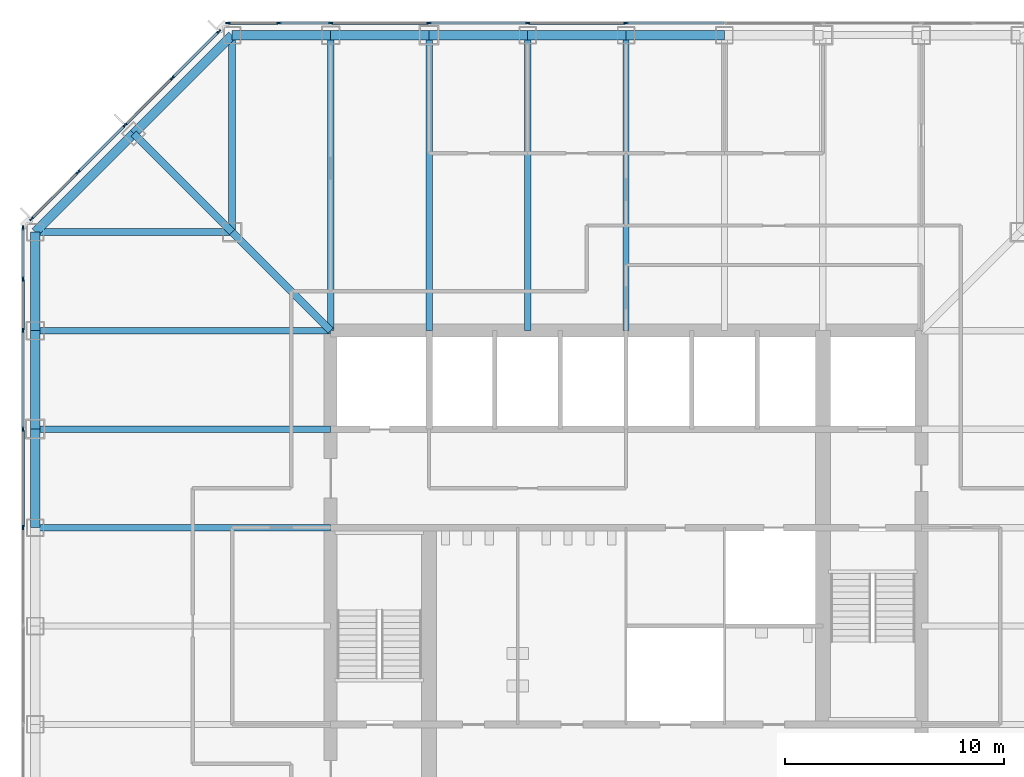
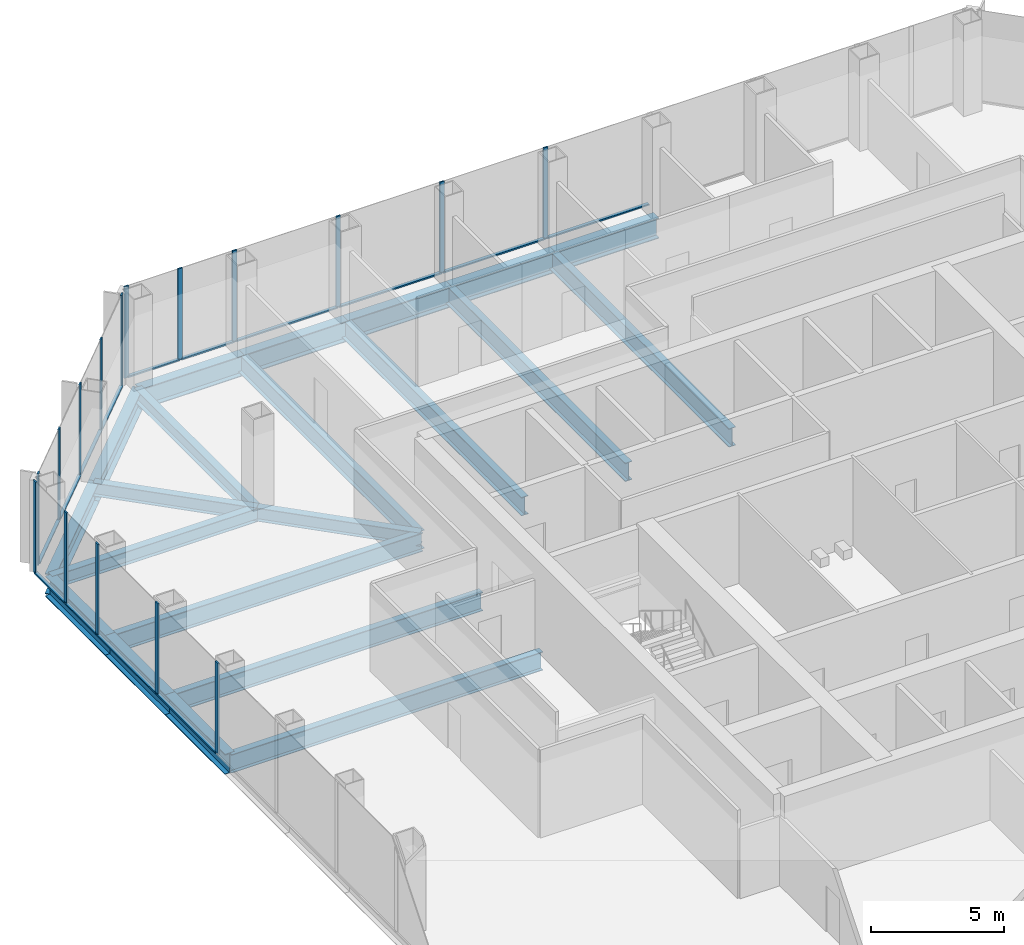
# One storey, part 5 of 13: 30 members, 21 beams, 3 elements without a shape of their own.
"""IFC4 building model written with IfcOpenShell, lengths in metres."""

from ifc_helpers import new_model, si_unit, direction, frame, origin, origin_2d, place, context, subcontext, project, spatial, rectangle, i_section, extrude, material, material_profile, profile_set, type_object, element, aggregate, save


model = new_model("IFC4")

# Units and contexts
model_context = context("Model", 3, precision=1e-05, world=origin(), true_north=direction((0.0, 1.0)))
body_context = subcontext(model_context, "Body", "Model", "MODEL_VIEW")
ifc_project = project(units=[si_unit("LENGTHUNIT", "METRE"), si_unit("AREAUNIT", "SQUARE_METRE"), si_unit("VOLUMEUNIT", "CUBIC_METRE"), si_unit("PLANEANGLEUNIT", "RADIAN"), si_unit("MASSUNIT", "GRAM", prefix="KILO")], contexts=[model_context])

# Site, building, storey
site_placement = place(None, origin())
site = spatial("IfcSite", under=ifc_project, at=site_placement, CompositionType="ELEMENT")
building_placement = place(site_placement, origin())
building = spatial("IfcBuilding", under=site, at=building_placement, Name="Corais Broadcast Tower", CompositionType="ELEMENT")
storey_placement = place(building_placement, frame((0.0, 0.0, 83.60009765625)))
storey = spatial("IfcBuildingStorey", under=building, at=storey_placement, Name="L18", CompositionType="ELEMENT", Elevation=83.60009765625)

# Beams
ifc_material_1 = material(Name="Steel ASTM A572 Grade 50", Category="steel")
ifc_material_profile_1 = material_profile(ifc_material_1, i_section(OverallWidth=0.323974609375, OverallDepth=0.611083984375, WebThickness=0.0126953125, FlangeThickness=0.01904296875, at=origin_2d()), Name="W610x155")
ifc_profile_set_1 = profile_set([ifc_material_profile_1], Name="Steel ASTM A572 Grade 50")
beam_type_1 = type_object("IfcBeamType", Name="Chamfer tie W610x155", PredefinedType="BEAM", material=ifc_profile_set_1)
beam_1_placement = place(storey_placement, frame((4.5, 49.5, -0.465576171875), z_axis=(0.707106781187, -0.707106781187, 0.0), x_axis=(0.707106781187, 0.707106781187, 0.0)))
element("IfcBeam", 1, at=beam_1_placement, inside=storey, type_object=beam_type_1, Name="B5 M/4 to L/5", PredefinedType="BEAM", context=body_context, shape_type="SweptSolid", body=[
    extrude(i_section(OverallWidth=0.323974609375, OverallDepth=0.611083984375, WebThickness=0.0126953125, FlangeThickness=0.01904296875, at=origin_2d()), origin(), (0.0, 0.0, 1.0), 6.364013671875),
])
ifc_material_2 = material(Name="Steel ASTM A572 Grade 50", Category="steel")
ifc_material_profile_2 = material_profile(ifc_material_2, i_section(OverallWidth=0.323974609375, OverallDepth=0.611083984375, WebThickness=0.0126953125, FlangeThickness=0.01904296875, at=origin_2d()), Name="W610x155")
ifc_profile_set_2 = profile_set([ifc_material_profile_2], Name="Steel ASTM A572 Grade 50")
beam_type_2 = type_object("IfcBeamType", Name="Corner diagonal W610x155", PredefinedType="BEAM", material=ifc_profile_set_2)
beam_2_placement = place(storey_placement, frame((9.0, 45.0, -0.465576171875), z_axis=(0.707106781187, -0.707106781187, 0.0), x_axis=(0.707106781187, 0.707106781187, 0.0)))
element("IfcBeam", 2, at=beam_2_placement, inside=storey, type_object=beam_type_2, Name="B6 L/5 to K/6", PredefinedType="BEAM", context=body_context, shape_type="SweptSolid", body=[
    extrude(i_section(OverallWidth=0.323974609375, OverallDepth=0.611083984375, WebThickness=0.0126953125, FlangeThickness=0.01904296875, at=origin_2d()), origin(), (0.0, 0.0, 1.0), 6.364013671875),
])
ifc_material_3 = material(Name="Steel ASTM A572 Grade 50", Category="steel")
ifc_material_profile_3 = material_profile(ifc_material_3, i_section(OverallWidth=0.323974609375, OverallDepth=0.611083984375, WebThickness=0.0126953125, FlangeThickness=0.01904296875, at=origin_2d()), Name="W610x155")
ifc_profile_set_3 = profile_set([ifc_material_profile_3], Name="Steel ASTM A572 Grade 50")
beam_type_3 = type_object("IfcBeamType", Name="Corner girder W610x155", PredefinedType="BEAM", material=ifc_profile_set_3)
for number, where, z_axis, x_axis, name in (
    (3, (0.0, 45.0, -0.465576171875), (1.0, 0.0, 0.0), (0.0, 1.0, 0.0), "B4 L/3 to L/5"),
    (4, (9.0, 54.0, -0.465576171875), (0.0, -1.0, 0.0), (1.0, 0.0, 0.0), "B4 N/5 to L/5"),
):
    element("IfcBeam", number, at=place(storey_placement, frame(where, z_axis=z_axis, x_axis=x_axis)), inside=storey, type_object=beam_type_3, Name=name, PredefinedType="BEAM", context=body_context, shape_type="SweptSolid", body=[
        extrude(i_section(OverallWidth=0.323974609375, OverallDepth=0.611083984375, WebThickness=0.0126953125, FlangeThickness=0.01904296875, at=origin_2d()), origin(), (0.0, 0.0, 1.0), 9.0),
    ])
ifc_material_4 = material(Name="Steel ASTM A572 Grade 50", Category="steel")
ifc_material_profile_4 = material_profile(ifc_material_4, i_section(OverallWidth=0.2939453125, OverallDepth=0.85107421875, WebThickness=0.01611328125, FlangeThickness=0.02685546875, at=origin_2d()), Name="W840x226")
ifc_profile_set_4 = profile_set([ifc_material_profile_4], Name="Steel ASTM A572 Grade 50")
beam_type_4 = type_object("IfcBeamType", Name="Floor beam W840x226", PredefinedType="BEAM", material=ifc_profile_set_4)
for number, where, z_axis, x_axis, name in (
    (5, (0.0, 31.5, -0.585693359375), (1.0, 0.0, 0.0), (0.0, 1.0, 0.0), "B1 H/3 to H/6"),
    (6, (0.0, 36.0, -0.585693359375), (1.0, 0.0, 0.0), (0.0, 1.0, 0.0), "B1 J/3 to J/6"),
    (7, (0.0, 40.5, -0.585693359375), (1.0, 0.0, 0.0), (0.0, 1.0, 0.0), "B1 K/3 to K/6"),
    (8, (13.5, 54.0, -0.585693359375), (0.0, -1.0, 0.0), (1.0, 0.0, 0.0), "B1 N/6 to K/6"),
    (9, (18.0, 54.0, -0.585693359375), (0.0, -1.0, 0.0), (1.0, 0.0, 0.0), "B1 N/7 to K/7"),
    (10, (22.5, 54.0, -0.585693359375), (0.0, -1.0, 0.0), (1.0, 0.0, 0.0), "B1 N/8 to K/8"),
    (11, (27.0, 54.0, -0.585693359375), (0.0, -1.0, 0.0), (1.0, 0.0, 0.0), "B1 N/9 to K/9"),
):
    element("IfcBeam", number, at=place(storey_placement, frame(where, z_axis=z_axis, x_axis=x_axis)), inside=storey, type_object=beam_type_4, Name=name, PredefinedType="BEAM", context=body_context, shape_type="SweptSolid", body=[
        extrude(i_section(OverallWidth=0.2939453125, OverallDepth=0.85107421875, WebThickness=0.01611328125, FlangeThickness=0.02685546875, at=origin_2d()), origin(), (0.0, 0.0, 1.0), 13.5),
    ])

# Curtain wall, members
ifc_material_5 = material(Name="Aluminium and glass", Category="aluminium")
curtain_wall_type = type_object("IfcCurtainWallType", Name="Unitised fritted curtain wall CW1", PredefinedType="NOTDEFINED", material=ifc_material_5)
curtain_wall_1_placement = place(storey_placement, origin())
curtain_wall_1 = element("IfcCurtainWall", 12, at=curtain_wall_1_placement, inside=storey, type_object=curtain_wall_type, Name="CW1 curtain wall L18 2", PredefinedType="NOTDEFINED")
ifc_material_6 = material(Name="Aluminium 6063-T6", Category="aluminium")
ifc_material_profile_5 = material_profile(ifc_material_6, rectangle(XDim=0.06494140625, YDim=0.199951171875, at=origin_2d()), Name="Mullion CW1 65x200")
ifc_profile_set_5 = profile_set([ifc_material_profile_5], Name="Aluminium 6063-T6")
member_type_1 = type_object("IfcMemberType", Name="Mullion CW1 65x200", PredefinedType="MULLION", material=ifc_profile_set_5)
member_1_placement = place(storey_placement, frame((-0.550048828125, 31.5, 0.0), z_axis=(0.0, 0.0, 1.0), x_axis=(-1.0, 0.0, 0.0)))
member_1 = element("IfcMember", 13, at=member_1_placement, type_object=member_type_1, Name="CW1 mullion 7", PredefinedType="MULLION", context=body_context, shape_type="SweptSolid", body=[
    extrude(rectangle(XDim=0.06494140625, YDim=0.199951171875, at=origin_2d()), origin(), (0.0, 0.0, 1.0), 4.199951171875),
])
member_2_placement = place(storey_placement, frame((-0.550048828125, 36.0, 0.0), z_axis=(0.0, 0.0, 1.0), x_axis=(-1.0, 0.0, 0.0)))
member_2 = element("IfcMember", 14, at=member_2_placement, type_object=member_type_1, Name="CW1 mullion 8", PredefinedType="MULLION", context=body_context, shape_type="SweptSolid", body=[
    extrude(rectangle(XDim=0.06494140625, YDim=0.199951171875, at=origin_2d()), origin(), (0.0, 0.0, 1.0), 4.199951171875),
])
member_3_placement = place(storey_placement, frame((-0.550048828125, 40.5, 0.0), z_axis=(0.0, 0.0, 1.0), x_axis=(-1.0, 0.0, 0.0)))
member_3 = element("IfcMember", 15, at=member_3_placement, type_object=member_type_1, Name="CW1 mullion 9", PredefinedType="MULLION", context=body_context, shape_type="SweptSolid", body=[
    extrude(rectangle(XDim=0.06494140625, YDim=0.199951171875, at=origin_2d()), origin(), (0.0, 0.0, 1.0), 4.199951171875),
])
member_4_placement = place(storey_placement, frame((-0.550048828125, 42.864013671875, 0.0), z_axis=(0.0, 0.0, 1.0), x_axis=(-1.0, 0.0, 0.0)))
member_4 = element("IfcMember", 16, at=member_4_placement, type_object=member_type_1, Name="CW1 mullion 10", PredefinedType="MULLION", context=body_context, shape_type="SweptSolid", body=[
    extrude(rectangle(XDim=0.06494140625, YDim=0.199951171875, at=origin_2d()), origin(), (0.0, 0.0, 1.0), 4.199951171875),
])
member_5_placement = place(storey_placement, frame((-0.550048828125, 45.1953125, 0.0), z_axis=(0.0, 0.0, 1.0), x_axis=(-1.0, 0.0, 0.0)))
member_5 = element("IfcMember", 17, at=member_5_placement, type_object=member_type_1, Name="CW1 mullion 11", PredefinedType="MULLION", context=body_context, shape_type="SweptSolid", body=[
    extrude(rectangle(XDim=0.06494140625, YDim=0.199951171875, at=origin_2d()), origin(), (0.0, 0.0, 1.0), 4.199951171875),
])

curtain_wall_2_placement = place(storey_placement, origin())
curtain_wall_2 = element("IfcCurtainWall", 18, at=curtain_wall_2_placement, inside=storey, type_object=curtain_wall_type, Name="CW1 curtain wall L18 3", PredefinedType="NOTDEFINED")
member_6_placement = place(storey_placement, frame((-0.17333984375, 45.6044921875, 0.0), z_axis=(0.0, 0.0, 1.0), x_axis=(-0.707106781187, 0.707106781187, 0.0)))
member_6 = element("IfcMember", 19, at=member_6_placement, type_object=member_type_1, Name="CW1 mullion 1", PredefinedType="MULLION", context=body_context, shape_type="SweptSolid", body=[
    extrude(rectangle(XDim=0.06494140625, YDim=0.199951171875, at=origin_2d()), origin(), (0.0, 0.0, 1.0), 4.199951171875),
])
member_7_placement = place(storey_placement, frame((1.957275390625, 47.735107421875, 0.0), z_axis=(0.0, 0.0, 1.0), x_axis=(-0.707106781187, 0.707106781187, 0.0)))
member_7 = element("IfcMember", 20, at=member_7_placement, type_object=member_type_1, Name="CW1 mullion 2", PredefinedType="MULLION", context=body_context, shape_type="SweptSolid", body=[
    extrude(rectangle(XDim=0.06494140625, YDim=0.199951171875, at=origin_2d()), origin(), (0.0, 0.0, 1.0), 4.199951171875),
])
member_8_placement = place(storey_placement, frame((4.111083984375, 49.888916015625, 0.0), z_axis=(0.0, 0.0, 1.0), x_axis=(-0.707106781187, 0.707106781187, 0.0)))
member_8 = element("IfcMember", 21, at=member_8_placement, type_object=member_type_1, Name="CW1 mullion 3", PredefinedType="MULLION", context=body_context, shape_type="SweptSolid", body=[
    extrude(rectangle(XDim=0.06494140625, YDim=0.199951171875, at=origin_2d()), origin(), (0.0, 0.0, 1.0), 4.199951171875),
])
member_9_placement = place(storey_placement, frame((6.264892578125, 52.042724609375, 0.0), z_axis=(0.0, 0.0, 1.0), x_axis=(-0.707106781187, 0.707106781187, 0.0)))
member_9 = element("IfcMember", 22, at=member_9_placement, type_object=member_type_1, Name="CW1 mullion 4", PredefinedType="MULLION", context=body_context, shape_type="SweptSolid", body=[
    extrude(rectangle(XDim=0.06494140625, YDim=0.199951171875, at=origin_2d()), origin(), (0.0, 0.0, 1.0), 4.199951171875),
])
member_10_placement = place(storey_placement, frame((8.3955078125, 54.17333984375, 0.0), z_axis=(0.0, 0.0, 1.0), x_axis=(-0.707106781187, 0.707106781187, 0.0)))
member_10 = element("IfcMember", 23, at=member_10_placement, type_object=member_type_1, Name="CW1 mullion 5", PredefinedType="MULLION", context=body_context, shape_type="SweptSolid", body=[
    extrude(rectangle(XDim=0.06494140625, YDim=0.199951171875, at=origin_2d()), origin(), (0.0, 0.0, 1.0), 4.199951171875),
])

curtain_wall_3_placement = place(storey_placement, origin())
curtain_wall_3 = element("IfcCurtainWall", 24, at=curtain_wall_3_placement, inside=storey, type_object=curtain_wall_type, Name="CW1 curtain wall L18 4", PredefinedType="NOTDEFINED")
member_11_placement = place(storey_placement, frame((8.8046875, 54.550048828125, 0.0), z_axis=(0.0, 0.0, 1.0), x_axis=(0.0, 1.0, 0.0)))
member_11 = element("IfcMember", 25, at=member_11_placement, type_object=member_type_1, Name="CW1 mullion 1", PredefinedType="MULLION", context=body_context, shape_type="SweptSolid", body=[
    extrude(rectangle(XDim=0.06494140625, YDim=0.199951171875, at=origin_2d()), origin(), (0.0, 0.0, 1.0), 4.199951171875),
])
member_12_placement = place(storey_placement, frame((11.135986328125, 54.550048828125, 0.0), z_axis=(0.0, 0.0, 1.0), x_axis=(0.0, 1.0, 0.0)))
member_12 = element("IfcMember", 26, at=member_12_placement, type_object=member_type_1, Name="CW1 mullion 2", PredefinedType="MULLION", context=body_context, shape_type="SweptSolid", body=[
    extrude(rectangle(XDim=0.06494140625, YDim=0.199951171875, at=origin_2d()), origin(), (0.0, 0.0, 1.0), 4.199951171875),
])
member_13_placement = place(storey_placement, frame((13.5, 54.550048828125, 0.0), z_axis=(0.0, 0.0, 1.0), x_axis=(0.0, 1.0, 0.0)))
member_13 = element("IfcMember", 27, at=member_13_placement, type_object=member_type_1, Name="CW1 mullion 3", PredefinedType="MULLION", context=body_context, shape_type="SweptSolid", body=[
    extrude(rectangle(XDim=0.06494140625, YDim=0.199951171875, at=origin_2d()), origin(), (0.0, 0.0, 1.0), 4.199951171875),
])
member_14_placement = place(storey_placement, frame((18.0, 54.550048828125, 0.0), z_axis=(0.0, 0.0, 1.0), x_axis=(0.0, 1.0, 0.0)))
member_14 = element("IfcMember", 28, at=member_14_placement, type_object=member_type_1, Name="CW1 mullion 4", PredefinedType="MULLION", context=body_context, shape_type="SweptSolid", body=[
    extrude(rectangle(XDim=0.06494140625, YDim=0.199951171875, at=origin_2d()), origin(), (0.0, 0.0, 1.0), 4.199951171875),
])
member_15_placement = place(storey_placement, frame((22.5, 54.550048828125, 0.0), z_axis=(0.0, 0.0, 1.0), x_axis=(0.0, 1.0, 0.0)))
member_15 = element("IfcMember", 29, at=member_15_placement, type_object=member_type_1, Name="CW1 mullion 5", PredefinedType="MULLION", context=body_context, shape_type="SweptSolid", body=[
    extrude(rectangle(XDim=0.06494140625, YDim=0.199951171875, at=origin_2d()), origin(), (0.0, 0.0, 1.0), 4.199951171875),
])
member_16_placement = place(storey_placement, frame((27.0, 54.550048828125, 0.0), z_axis=(0.0, 0.0, 1.0), x_axis=(0.0, 1.0, 0.0)))
member_16 = element("IfcMember", 30, at=member_16_placement, type_object=member_type_1, Name="CW1 mullion 6", PredefinedType="MULLION", context=body_context, shape_type="SweptSolid", body=[
    extrude(rectangle(XDim=0.06494140625, YDim=0.199951171875, at=origin_2d()), origin(), (0.0, 0.0, 1.0), 4.199951171875),
])

# Beams
ifc_material_7 = material(Name="Steel ASTM A572 Grade 50", Category="steel")
ifc_material_profile_6 = material_profile(ifc_material_7, i_section(OverallWidth=0.4189453125, OverallDepth=0.94189453125, WebThickness=0.022216796875, FlangeThickness=0.03662109375, at=origin_2d()), Name="W920x345")
ifc_profile_set_6 = profile_set([ifc_material_profile_6], Name="Steel ASTM A572 Grade 50")
beam_type_5 = type_object("IfcBeamType", Name="Transfer spandrel W920x345", PredefinedType="BEAM", material=ifc_profile_set_6)
for number, where, z_axis, x_axis, name in (
    (31, (0.0, 36.0, -0.631103515625), (0.0, -1.0, 0.0), (1.0, 0.0, 0.0), "SB4 J/3 to H/3"),
    (32, (0.0, 40.5, -0.631103515625), (0.0, -1.0, 0.0), (1.0, 0.0, 0.0), "SB4 K/3 to J/3"),
    (33, (0.0, 45.0, -0.631103515625), (0.0, -1.0, 0.0), (1.0, 0.0, 0.0), "SB4 L/3 to K/3"),
    (34, (13.5, 54.0, -0.631103515625), (-1.0, 0.0, 0.0), (0.0, -1.0, 0.0), "SB4 N/6 to N/5"),
    (35, (18.0, 54.0, -0.631103515625), (-1.0, 0.0, 0.0), (0.0, -1.0, 0.0), "SB4 N/7 to N/6"),
    (36, (22.5, 54.0, -0.631103515625), (-1.0, 0.0, 0.0), (0.0, -1.0, 0.0), "SB4 N/8 to N/7"),
    (37, (27.0, 54.0, -0.631103515625), (-1.0, 0.0, 0.0), (0.0, -1.0, 0.0), "SB4 N/9 to N/8"),
    (38, (31.5, 54.0, -0.631103515625), (-1.0, 0.0, 0.0), (0.0, -1.0, 0.0), "SB4 N/10 to N/9"),
):
    element("IfcBeam", number, at=place(storey_placement, frame(where, z_axis=z_axis, x_axis=x_axis)), inside=storey, type_object=beam_type_5, Name=name, PredefinedType="BEAM", context=body_context, shape_type="SweptSolid", body=[
        extrude(i_section(OverallWidth=0.4189453125, OverallDepth=0.94189453125, WebThickness=0.022216796875, FlangeThickness=0.03662109375, at=origin_2d()), origin(), (0.0, 0.0, 1.0), 4.5),
    ])
for number, where, z_axis, x_axis, name in (
    (39, (4.5, 49.5, -0.631103515625), (-0.707106781187, -0.707106781187, 0.0), (0.707106781187, -0.707106781187, 0.0), "SB4 M/4 to L/3"),
    (40, (9.0, 54.0, -0.631103515625), (-0.707106781187, -0.707106781187, 0.0), (0.707106781187, -0.707106781187, 0.0), "SB4 N/5 to M/4"),
):
    element("IfcBeam", number, at=place(storey_placement, frame(where, z_axis=z_axis, x_axis=x_axis)), inside=storey, type_object=beam_type_5, Name=name, PredefinedType="BEAM", context=body_context, shape_type="SweptSolid", body=[
        extrude(i_section(OverallWidth=0.4189453125, OverallDepth=0.94189453125, WebThickness=0.022216796875, FlangeThickness=0.03662109375, at=origin_2d()), origin(), (0.0, 0.0, 1.0), 6.364013671875),
    ])

# Member
ifc_material_8 = material(Name="Aluminium 6063-T6", Category="aluminium")
ifc_material_profile_7 = material_profile(ifc_material_8, rectangle(XDim=0.139892578125, YDim=0.06494140625, at=origin_2d()), Name="Transom CW1 65x140")
ifc_profile_set_7 = profile_set([ifc_material_profile_7], Name="Aluminium 6063-T6")
member_type_2 = type_object("IfcMemberType", Name="Transom CW1 65x140", PredefinedType="USERDEFINED", material=ifc_profile_set_7)
member_17_placement = place(storey_placement, frame((-0.550048828125, 31.532470703125, 0.032470703125), z_axis=(0.0, 1.0, 0.0), x_axis=(-1.0, 0.0, 0.0)))
member_17 = element("IfcMember", 41, at=member_17_placement, type_object=member_type_2, Name="CW1 transom 7.1", ObjectType="TRANSOM", PredefinedType="USERDEFINED", context=body_context, shape_type="SweptSolid", body=[
    extrude(rectangle(XDim=0.139892578125, YDim=0.06494140625, at=origin_2d()), origin(), (0.0, 0.0, 1.0), 4.43505859375),
])

member_18_placement = place(storey_placement, frame((-0.550048828125, 36.032470703125, 0.032470703125), z_axis=(0.0, 1.0, 0.0), x_axis=(-1.0, 0.0, 0.0)))
member_18 = element("IfcMember", 42, at=member_18_placement, type_object=member_type_2, Name="CW1 transom 8.1", ObjectType="TRANSOM", PredefinedType="USERDEFINED", context=body_context, shape_type="SweptSolid", body=[
    extrude(rectangle(XDim=0.139892578125, YDim=0.06494140625, at=origin_2d()), origin(), (0.0, 0.0, 1.0), 4.43505859375),
])

member_19_placement = place(storey_placement, frame((-0.550048828125, 40.532470703125, 0.032470703125), z_axis=(0.0, 1.0, 0.0), x_axis=(-1.0, 0.0, 0.0)))
member_19 = element("IfcMember", 43, at=member_19_placement, type_object=member_type_2, Name="CW1 transom 9.1", ObjectType="TRANSOM", PredefinedType="USERDEFINED", context=body_context, shape_type="SweptSolid", body=[
    extrude(rectangle(XDim=0.139892578125, YDim=0.06494140625, at=origin_2d()), origin(), (0.0, 0.0, 1.0), 2.298828125),
])

member_20_placement = place(storey_placement, frame((-0.550048828125, 42.896484375, 0.032470703125), z_axis=(0.0, 1.0, 0.0), x_axis=(-1.0, 0.0, 0.0)))
member_20 = element("IfcMember", 44, at=member_20_placement, type_object=member_type_2, Name="CW1 transom 10.1", ObjectType="TRANSOM", PredefinedType="USERDEFINED", context=body_context, shape_type="SweptSolid", body=[
    extrude(rectangle(XDim=0.139892578125, YDim=0.06494140625, at=origin_2d()), origin(), (0.0, 0.0, 1.0), 2.266357421875),
])

aggregate(curtain_wall_1, [member_1, member_2, member_3, member_4, member_5, member_17, member_18, member_19, member_20])

member_21_placement = place(storey_placement, frame((-0.150390625, 45.62744140625, 0.032470703125), z_axis=(0.707106781187, 0.707106781187, 0.0), x_axis=(-0.707106781187, 0.707106781187, 0.0)))
member_21 = element("IfcMember", 45, at=member_21_placement, type_object=member_type_2, Name="CW1 transom 1.1", ObjectType="TRANSOM", PredefinedType="USERDEFINED", context=body_context, shape_type="SweptSolid", body=[
    extrude(rectangle(XDim=0.139892578125, YDim=0.06494140625, at=origin_2d()), origin(), (0.0, 0.0, 1.0), 2.9482421875),
])

member_22_placement = place(storey_placement, frame((1.980224609375, 47.758056640625, 0.032470703125), z_axis=(0.707106781187, 0.707106781187, 0.0), x_axis=(-0.707106781187, 0.707106781187, 0.0)))
member_22 = element("IfcMember", 46, at=member_22_placement, type_object=member_type_2, Name="CW1 transom 2.1", ObjectType="TRANSOM", PredefinedType="USERDEFINED", context=body_context, shape_type="SweptSolid", body=[
    extrude(rectangle(XDim=0.139892578125, YDim=0.06494140625, at=origin_2d()), origin(), (0.0, 0.0, 1.0), 2.98095703125),
])

member_23_placement = place(storey_placement, frame((4.134033203125, 49.911865234375, 0.032470703125), z_axis=(0.707106781187, 0.707106781187, 0.0), x_axis=(-0.707106781187, 0.707106781187, 0.0)))
member_23 = element("IfcMember", 47, at=member_23_placement, type_object=member_type_2, Name="CW1 transom 3.1", ObjectType="TRANSOM", PredefinedType="USERDEFINED", context=body_context, shape_type="SweptSolid", body=[
    extrude(rectangle(XDim=0.139892578125, YDim=0.06494140625, at=origin_2d()), origin(), (0.0, 0.0, 1.0), 2.98095703125),
])

member_24_placement = place(storey_placement, frame((6.287841796875, 52.065673828125, 0.032470703125), z_axis=(0.707106781187, 0.707106781187, 0.0), x_axis=(-0.707106781187, 0.707106781187, 0.0)))
member_24 = element("IfcMember", 48, at=member_24_placement, type_object=member_type_2, Name="CW1 transom 4.1", ObjectType="TRANSOM", PredefinedType="USERDEFINED", context=body_context, shape_type="SweptSolid", body=[
    extrude(rectangle(XDim=0.139892578125, YDim=0.06494140625, at=origin_2d()), origin(), (0.0, 0.0, 1.0), 2.9482421875),
])

aggregate(curtain_wall_2, [member_6, member_7, member_8, member_9, member_10, member_21, member_22, member_23, member_24])

member_25_placement = place(storey_placement, frame((8.837158203125, 54.550048828125, 0.032470703125), z_axis=(1.0, 0.0, 0.0), x_axis=(0.0, 1.0, 0.0)))
member_25 = element("IfcMember", 49, at=member_25_placement, type_object=member_type_2, Name="CW1 transom 1.1", ObjectType="TRANSOM", PredefinedType="USERDEFINED", context=body_context, shape_type="SweptSolid", body=[
    extrude(rectangle(XDim=0.139892578125, YDim=0.06494140625, at=origin_2d()), origin(), (0.0, 0.0, 1.0), 2.266357421875),
])

member_26_placement = place(storey_placement, frame((11.168701171875, 54.550048828125, 0.032470703125), z_axis=(1.0, 0.0, 0.0), x_axis=(0.0, 1.0, 0.0)))
member_26 = element("IfcMember", 50, at=member_26_placement, type_object=member_type_2, Name="CW1 transom 2.1", ObjectType="TRANSOM", PredefinedType="USERDEFINED", context=body_context, shape_type="SweptSolid", body=[
    extrude(rectangle(XDim=0.139892578125, YDim=0.06494140625, at=origin_2d()), origin(), (0.0, 0.0, 1.0), 2.298828125),
])

member_27_placement = place(storey_placement, frame((13.532470703125, 54.550048828125, 0.032470703125), z_axis=(1.0, 0.0, 0.0), x_axis=(0.0, 1.0, 0.0)))
member_27 = element("IfcMember", 51, at=member_27_placement, type_object=member_type_2, Name="CW1 transom 3.1", ObjectType="TRANSOM", PredefinedType="USERDEFINED", context=body_context, shape_type="SweptSolid", body=[
    extrude(rectangle(XDim=0.139892578125, YDim=0.06494140625, at=origin_2d()), origin(), (0.0, 0.0, 1.0), 4.43505859375),
])

member_28_placement = place(storey_placement, frame((18.032470703125, 54.550048828125, 0.032470703125), z_axis=(1.0, 0.0, 0.0), x_axis=(0.0, 1.0, 0.0)))
member_28 = element("IfcMember", 52, at=member_28_placement, type_object=member_type_2, Name="CW1 transom 4.1", ObjectType="TRANSOM", PredefinedType="USERDEFINED", context=body_context, shape_type="SweptSolid", body=[
    extrude(rectangle(XDim=0.139892578125, YDim=0.06494140625, at=origin_2d()), origin(), (0.0, 0.0, 1.0), 4.43505859375),
])

member_29_placement = place(storey_placement, frame((22.532470703125, 54.550048828125, 0.032470703125), z_axis=(1.0, 0.0, 0.0), x_axis=(0.0, 1.0, 0.0)))
member_29 = element("IfcMember", 53, at=member_29_placement, type_object=member_type_2, Name="CW1 transom 5.1", ObjectType="TRANSOM", PredefinedType="USERDEFINED", context=body_context, shape_type="SweptSolid", body=[
    extrude(rectangle(XDim=0.139892578125, YDim=0.06494140625, at=origin_2d()), origin(), (0.0, 0.0, 1.0), 4.43505859375),
])

member_30_placement = place(storey_placement, frame((27.032470703125, 54.550048828125, 0.032470703125), z_axis=(1.0, 0.0, 0.0), x_axis=(0.0, 1.0, 0.0)))
member_30 = element("IfcMember", 54, at=member_30_placement, type_object=member_type_2, Name="CW1 transom 6.1", ObjectType="TRANSOM", PredefinedType="USERDEFINED", context=body_context, shape_type="SweptSolid", body=[
    extrude(rectangle(XDim=0.139892578125, YDim=0.06494140625, at=origin_2d()), origin(), (0.0, 0.0, 1.0), 4.43505859375),
])

aggregate(curtain_wall_3, [member_11, member_12, member_13, member_14, member_15, member_16, member_25, member_26, member_27, member_28, member_29, member_30])

save(model, "model.ifc")
